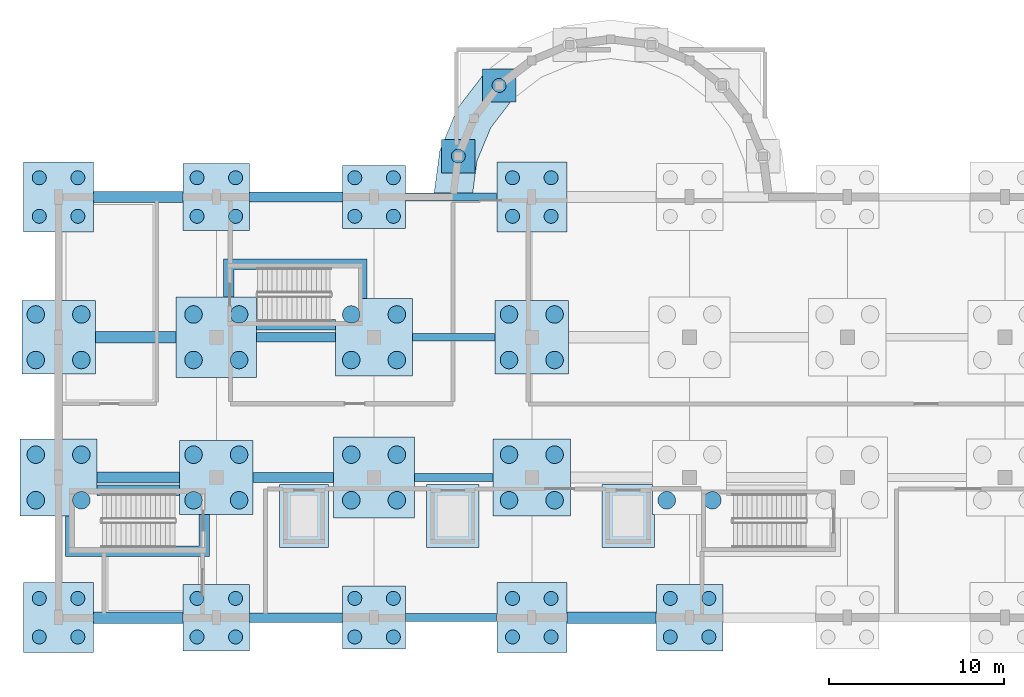
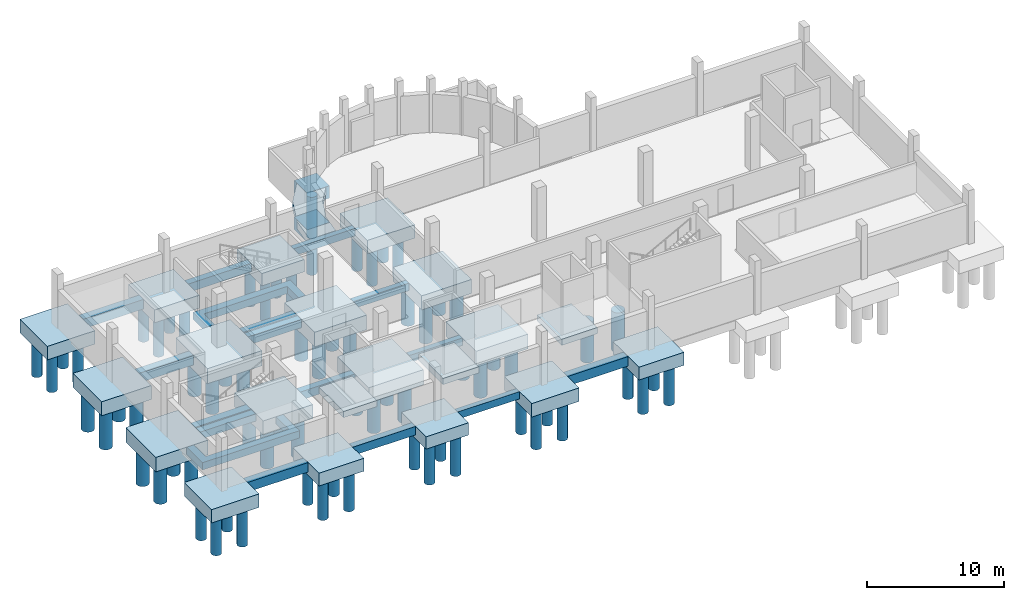
# One storey, part 1 of 10: 72 piles, 40 footings.
"""IFC4 building model written with IfcOpenShell, lengths in metres."""

from ifc_helpers import new_model, si_unit, direction, frame, origin, origin_2d, place, context, subcontext, project, spatial, polyline, rectangle, circle, outline, extrude, material, material_profile, profile_set, type_object, element, save


model = new_model("IFC4")

# Units and contexts
model_context = context("Model", 3, precision=1e-05, world=origin(), true_north=direction((0.0, 1.0)))
body_context = subcontext(model_context, "Body", "Model", "MODEL_VIEW")
ifc_project = project(units=[si_unit("LENGTHUNIT", "METRE"), si_unit("AREAUNIT", "SQUARE_METRE"), si_unit("VOLUMEUNIT", "CUBIC_METRE"), si_unit("PLANEANGLEUNIT", "RADIAN"), si_unit("MASSUNIT", "GRAM", prefix="KILO")], contexts=[model_context])

# Site, building, storey
site_placement = place(None, origin())
site = spatial("IfcSite", under=ifc_project, at=site_placement, CompositionType="ELEMENT")
building_placement = place(site_placement, origin())
building = spatial("IfcBuilding", under=site, at=building_placement, Name="Serraforn Aerial Cableway Station", CompositionType="ELEMENT")
storey_placement = place(building_placement, frame((0.0, 0.0, -4.800048828125)))
storey = spatial("IfcBuildingStorey", under=building, at=storey_placement, Name="B1", CompositionType="ELEMENT", Elevation=-4.800048828125)

# Footings
ifc_material_1 = material(Name="Concrete C35/45", Category="concrete")
footing_type_1 = type_object("IfcFootingType", Name="FT-FB-450x650", PredefinedType="FOOTING_BEAM", material=ifc_material_1)
footing_1_placement = place(storey_placement, frame((0.0, 0.0, -0.64990234375)))
element("IfcFooting", 1, at=footing_1_placement, inside=storey, type_object=footing_type_1, Name="Footing Tie Beam CV Y=18.0 #3", PredefinedType="FOOTING_BEAM", context=body_context, shape_type="SweptSolid", body=[
    extrude(outline(polyline([(52.594970703125, 18.22509765625), (52.594970703125, 17.77490234375), (47.405029296875, 17.77490234375), (47.405029296875, 18.22509765625), (52.594970703125, 18.22509765625)])), origin(), (0.0, 0.0, 1.0), 0.64990234375),
])
footing_2_placement = place(storey_placement, frame((0.0, 0.0, -0.64990234375)))
element("IfcFooting", 2, at=footing_2_placement, inside=storey, type_object=footing_type_1, Name="Footing Tie Beam CV Y=26.0 #3", PredefinedType="FOOTING_BEAM", context=body_context, shape_type="SweptSolid", body=[
    extrude(outline(polyline([(52.39501953125, 26.22509765625), (52.39501953125, 25.77490234375), (47.905029296875, 25.77490234375), (47.905029296875, 26.22509765625), (52.39501953125, 26.22509765625)])), origin(), (0.0, 0.0, 1.0), 0.64990234375),
])
footing_3_placement = place(storey_placement, frame((0.0, 0.0, -0.64990234375)))
element("IfcFooting", 3, at=footing_3_placement, inside=storey, type_object=footing_type_1, Name="Footing Tie Beam CV Y=34.0 #3", PredefinedType="FOOTING_BEAM", context=body_context, shape_type="SweptSolid", body=[
    extrude(outline(polyline([(52.4951171875, 34.22509765625), (52.4951171875, 33.77490234375), (47.804931640625, 33.77490234375), (47.804931640625, 34.22509765625), (52.4951171875, 34.22509765625)])), origin(), (0.0, 0.0, 1.0), 0.64990234375),
])
footing_4_placement = place(storey_placement, frame((0.0, 0.0, -0.64990234375)))
element("IfcFooting", 4, at=footing_4_placement, inside=storey, type_object=footing_type_1, Name="Footing Tie Beam CV Y=42.0 #3", PredefinedType="FOOTING_BEAM", context=body_context, shape_type="SweptSolid", body=[
    extrude(outline(polyline([(52.594970703125, 42.22509765625), (52.594970703125, 41.77490234375), (47.405029296875, 41.77490234375), (47.405029296875, 42.22509765625), (52.594970703125, 42.22509765625)])), origin(), (0.0, 0.0, 1.0), 0.64990234375),
])
footing_type_2 = type_object("IfcFootingType", Name="FT-FB-550x750", PredefinedType="FOOTING_BEAM", material=ifc_material_1)
footing_5_placement = place(storey_placement, frame((0.0, 0.0, -0.75)))
element("IfcFooting", 5, at=footing_5_placement, inside=storey, type_object=footing_type_2, Name="Footing Tie Beam CV Y=18.0 #2", PredefinedType="FOOTING_BEAM", context=body_context, shape_type="SweptSolid", body=[
    extrude(outline(polyline([(43.794921875, 18.27490234375), (43.794921875, 17.72509765625), (38.5048828125, 17.72509765625), (38.5048828125, 18.27490234375), (43.794921875, 18.27490234375)])), origin(), (0.0, 0.0, 1.0), 0.75),
])
footing_6_placement = place(storey_placement, frame((0.0, 0.0, -0.75)))
element("IfcFooting", 6, at=footing_6_placement, inside=storey, type_object=footing_type_2, Name="Footing Tie Beam CV Y=26.0 #2", PredefinedType="FOOTING_BEAM", context=body_context, shape_type="SweptSolid", body=[
    extrude(outline(polyline([(43.294921875, 26.27490234375), (43.294921875, 25.72509765625), (38.705078125, 25.72509765625), (38.705078125, 26.27490234375), (43.294921875, 26.27490234375)])), origin(), (0.0, 0.0, 1.0), 0.75),
])
footing_7_placement = place(storey_placement, frame((0.0, 0.0, -0.75)))
element("IfcFooting", 7, at=footing_7_placement, inside=storey, type_object=footing_type_2, Name="Footing Tie Beam CV Y=34.0 #2", PredefinedType="FOOTING_BEAM", context=body_context, shape_type="SweptSolid", body=[
    extrude(outline(polyline([(43.39501953125, 34.27490234375), (43.39501953125, 33.72509765625), (38.905029296875, 33.72509765625), (38.905029296875, 34.27490234375), (43.39501953125, 34.27490234375)])), origin(), (0.0, 0.0, 1.0), 0.75),
])
footing_8_placement = place(storey_placement, frame((0.0, 0.0, -0.75)))
element("IfcFooting", 8, at=footing_8_placement, inside=storey, type_object=footing_type_2, Name="Footing Tie Beam CV Y=42.0 #2", PredefinedType="FOOTING_BEAM", context=body_context, shape_type="SweptSolid", body=[
    extrude(outline(polyline([(43.794921875, 42.27490234375), (43.794921875, 41.72509765625), (38.5048828125, 41.72509765625), (38.5048828125, 42.27490234375), (43.794921875, 42.27490234375)])), origin(), (0.0, 0.0, 1.0), 0.75),
])
footing_type_3 = type_object("IfcFootingType", Name="FT-FB-650x850", PredefinedType="FOOTING_BEAM", material=ifc_material_1)
footing_9_placement = place(storey_placement, frame((0.0, 0.0, -0.849853515625)))
element("IfcFooting", 9, at=footing_9_placement, inside=storey, type_object=footing_type_3, Name="Footing Tie Beam CV Y=18.0 #1", PredefinedType="FOOTING_BEAM", context=body_context, shape_type="SweptSolid", body=[
    extrude(outline(polyline([(34.695068359375, 18.324951171875), (34.695068359375, 17.675048828125), (29.60498046875, 17.675048828125), (29.60498046875, 18.324951171875), (34.695068359375, 18.324951171875)])), origin(), (0.0, 0.0, 1.0), 0.849853515625),
])
footing_10_placement = place(storey_placement, frame((0.0, 0.0, -0.849853515625)))
element("IfcFooting", 10, at=footing_10_placement, inside=storey, type_object=footing_type_3, Name="Footing Tie Beam CV Y=18.0 #4", PredefinedType="FOOTING_BEAM", context=body_context, shape_type="SweptSolid", body=[
    extrude(outline(polyline([(61.695068359375, 18.324951171875), (61.695068359375, 17.675048828125), (56.60498046875, 17.675048828125), (56.60498046875, 18.324951171875), (61.695068359375, 18.324951171875)])), origin(), (0.0, 0.0, 1.0), 0.849853515625),
])
footing_11_placement = place(storey_placement, frame((0.0, 0.0, -0.849853515625)))
element("IfcFooting", 11, at=footing_11_placement, inside=storey, type_object=footing_type_3, Name="Footing Tie Beam CV Y=26.0 #1", PredefinedType="FOOTING_BEAM", context=body_context, shape_type="SweptSolid", body=[
    extrude(outline(polyline([(34.4951171875, 26.324951171875), (34.4951171875, 25.675048828125), (29.804931640625, 25.675048828125), (29.804931640625, 26.324951171875), (34.4951171875, 26.324951171875)])), origin(), (0.0, 0.0, 1.0), 0.849853515625),
])
footing_12_placement = place(storey_placement, frame((0.0, 0.0, -0.849853515625)))
element("IfcFooting", 12, at=footing_12_placement, inside=storey, type_object=footing_type_3, Name="Footing Tie Beam CV Y=34.0 #1", PredefinedType="FOOTING_BEAM", context=body_context, shape_type="SweptSolid", body=[
    extrude(outline(polyline([(34.294921875, 34.324951171875), (34.294921875, 33.675048828125), (29.705078125, 33.675048828125), (29.705078125, 34.324951171875), (34.294921875, 34.324951171875)])), origin(), (0.0, 0.0, 1.0), 0.849853515625),
])
footing_13_placement = place(storey_placement, frame((0.0, 0.0, -0.849853515625)))
element("IfcFooting", 13, at=footing_13_placement, inside=storey, type_object=footing_type_3, Name="Footing Tie Beam CV Y=42.0 #1", PredefinedType="FOOTING_BEAM", context=body_context, shape_type="SweptSolid", body=[
    extrude(outline(polyline([(34.695068359375, 42.324951171875), (34.695068359375, 41.675048828125), (29.60498046875, 41.675048828125), (29.60498046875, 42.324951171875), (34.695068359375, 42.324951171875)])), origin(), (0.0, 0.0, 1.0), 0.849853515625),
])
footing_type_4 = type_object("IfcFootingType", Name="FT-PC1-190", PredefinedType="PILE_CAP", material=ifc_material_1)
for number, where, z_axis, x_axis, name in (
    (14, (50.40673828125, 44.329345703125, -1.10009765625), (0.0, 0.0, 1.0), (1.0, 0.0, 0.0), "Apse Radial Pile Cap 1"),
    (15, (52.736083984375, 48.364013671875, -1.10009765625), (0.0, 0.0, 1.0), (1.0, 0.0, 0.0), "Apse Radial Pile Cap 3"),
):
    element("IfcFooting", number, at=place(storey_placement, frame(where, z_axis=z_axis, x_axis=x_axis)), inside=storey, type_object=footing_type_4, Name=name, PredefinedType="PILE_CAP", context=body_context, shape_type="SweptSolid", body=[
        extrude(rectangle(XDim=1.89990234375, YDim=1.89990234375, at=origin_2d()), origin(), (0.0, 0.0, 1.0), 1.10009765625),
    ])
footing_type_5 = type_object("IfcFootingType", Name="FT-PC4-360", PredefinedType="PILE_CAP", material=ifc_material_1)
for number, where, z_axis, x_axis, name in (
    (16, (45.60009765625, 18.0, -1.10009765625), (0.0, 0.0, 1.0), (1.0, 0.0, 0.0), "Pile Cap CV-7-C"),
    (17, (45.60009765625, 42.0, -1.10009765625), (0.0, 0.0, 1.0), (1.0, 0.0, 0.0), "Pile Cap CV-7-F"),
):
    element("IfcFooting", number, at=place(storey_placement, frame(where, z_axis=z_axis, x_axis=x_axis)), inside=storey, type_object=footing_type_5, Name=name, PredefinedType="PILE_CAP", context=body_context, shape_type="SweptSolid", body=[
        extrude(rectangle(XDim=3.60009765625, YDim=3.60009765625, at=origin_2d()), origin(), (0.0, 0.0, 1.0), 1.10009765625),
    ])
footing_type_6 = type_object("IfcFootingType", Name="FT-PC4-380", PredefinedType="PILE_CAP", material=ifc_material_1)
for number, where, z_axis, x_axis, name in (
    (18, (36.60009765625, 18.0, -1.14990234375), (0.0, 0.0, 1.0), (1.0, 0.0, 0.0), "Pile Cap CV-6-C"),
    (19, (36.60009765625, 42.0, -1.14990234375), (0.0, 0.0, 1.0), (1.0, 0.0, 0.0), "Pile Cap CV-6-F"),
    (20, (63.60009765625, 18.0, -1.14990234375), (0.0, 0.0, 1.0), (1.0, 0.0, 0.0), "Pile Cap CV-9-C"),
):
    element("IfcFooting", number, at=place(storey_placement, frame(where, z_axis=z_axis, x_axis=x_axis)), inside=storey, type_object=footing_type_6, Name=name, PredefinedType="PILE_CAP", context=body_context, shape_type="SweptSolid", body=[
        extrude(rectangle(XDim=3.800048828125, YDim=3.800048828125, at=origin_2d()), origin(), (0.0, 0.0, 1.0), 1.14990234375),
    ])
footing_type_7 = type_object("IfcFootingType", Name="FT-PC4-400", PredefinedType="PILE_CAP", material=ifc_material_1)
for number, where, z_axis, x_axis, name in (
    (21, (27.60009765625, 18.0, -1.19970703125), (0.0, 0.0, 1.0), (1.0, 0.0, 0.0), "Pile Cap CV-5-C"),
    (22, (27.60009765625, 42.0, -1.19970703125), (0.0, 0.0, 1.0), (1.0, 0.0, 0.0), "Pile Cap CV-5-F"),
    (23, (54.60009765625, 18.0, -1.19970703125), (0.0, 0.0, 1.0), (1.0, 0.0, 0.0), "Pile Cap CV-8-C"),
    (24, (54.60009765625, 42.0, -1.19970703125), (0.0, 0.0, 1.0), (1.0, 0.0, 0.0), "Pile Cap CV-8-F"),
):
    element("IfcFooting", number, at=place(storey_placement, frame(where, z_axis=z_axis, x_axis=x_axis)), inside=storey, type_object=footing_type_7, Name=name, PredefinedType="PILE_CAP", context=body_context, shape_type="SweptSolid", body=[
        extrude(rectangle(XDim=4.0, YDim=4.0, at=origin_2d()), origin(), (0.0, 0.0, 1.0), 1.199951171875),
    ])
ifc_material_2 = material(Name="Concrete C40/50", Category="concrete")
footing_type_8 = type_object("IfcFootingType", Name="FT-PC4-420", PredefinedType="PILE_CAP", material=ifc_material_2)
for number, where, z_axis, x_axis, name in (
    (25, (27.60009765625, 34.0, -1.25), (0.0, 0.0, 1.0), (1.0, 0.0, 0.0), "Pile Cap CV-5-D2"),
    (26, (36.60009765625, 26.0, -1.25), (0.0, 0.0, 1.0), (1.0, 0.0, 0.0), "Pile Cap CV-6-D1"),
    (27, (54.60009765625, 34.0, -1.25), (0.0, 0.0, 1.0), (1.0, 0.0, 0.0), "Pile Cap CV-8-D2"),
):
    element("IfcFooting", number, at=place(storey_placement, frame(where, z_axis=z_axis, x_axis=x_axis)), inside=storey, type_object=footing_type_8, Name=name, PredefinedType="PILE_CAP", context=body_context, shape_type="SweptSolid", body=[
        extrude(rectangle(XDim=4.199951171875, YDim=4.199951171875, at=origin_2d()), origin(), (0.0, 0.0, 1.0), 1.25),
    ])
footing_type_9 = type_object("IfcFootingType", Name="FT-PC4-440", PredefinedType="PILE_CAP", material=ifc_material_2)
for number, where, z_axis, x_axis, name in (
    (28, (27.60009765625, 26.0, -1.2998046875), (0.0, 0.0, 1.0), (1.0, 0.0, 0.0), "Pile Cap CV-5-D1"),
    (29, (45.60009765625, 34.0, -1.2998046875), (0.0, 0.0, 1.0), (1.0, 0.0, 0.0), "Pile Cap CV-7-D2"),
    (30, (54.60009765625, 26.0, -1.2998046875), (0.0, 0.0, 1.0), (1.0, 0.0, 0.0), "Pile Cap CV-8-D1"),
):
    element("IfcFooting", number, at=place(storey_placement, frame(where, z_axis=z_axis, x_axis=x_axis)), inside=storey, type_object=footing_type_9, Name=name, PredefinedType="PILE_CAP", context=body_context, shape_type="SweptSolid", body=[
        extrude(rectangle(XDim=4.39990234375, YDim=4.39990234375, at=origin_2d()), origin(), (0.0, 0.0, 1.0), 1.300048828125),
    ])
footing_type_10 = type_object("IfcFootingType", Name="FT-PC4-460", PredefinedType="PILE_CAP", material=ifc_material_2)
for number, where, z_axis, x_axis, name in (
    (31, (36.60009765625, 34.0, -1.35009765625), (0.0, 0.0, 1.0), (1.0, 0.0, 0.0), "Pile Cap CV-6-D2"),
    (32, (45.60009765625, 26.0, -1.35009765625), (0.0, 0.0, 1.0), (1.0, 0.0, 0.0), "Pile Cap CV-7-D1"),
):
    element("IfcFooting", number, at=place(storey_placement, frame(where, z_axis=z_axis, x_axis=x_axis)), inside=storey, type_object=footing_type_10, Name=name, PredefinedType="PILE_CAP", context=body_context, shape_type="SweptSolid", body=[
        extrude(rectangle(XDim=4.60009765625, YDim=4.60009765625, at=origin_2d()), origin(), (0.0, 0.0, 1.0), 1.35009765625),
    ])
footing_type_11 = type_object("IfcFootingType", Name="FT-SF-750x550", PredefinedType="STRIP_FOOTING", material=ifc_material_1)
footing_14_placement = place(storey_placement, frame((0.0, 0.0, -0.550048828125)))
element("IfcFooting", 33, at=footing_14_placement, inside=storey, type_object=footing_type_11, Name="Lift Pit Foundation Mat LF-02", PredefinedType="STRIP_FOOTING", context=body_context, shape_type="SweptSolid", body=[
    extrude(outline(polyline([(40.199951171875, 22.0), (40.199951171875, 25.60009765625), (43.0, 25.60009765625), (43.0, 22.0), (40.199951171875, 22.0)])), origin(), (0.0, 0.0, 1.0), 0.550048828125),
])
footing_15_placement = place(storey_placement, frame((0.0, 0.0, -0.550048828125)))
element("IfcFooting", 34, at=footing_15_placement, inside=storey, type_object=footing_type_11, Name="Lift Pit Foundation Mat LF-03", PredefinedType="STRIP_FOOTING", context=body_context, shape_type="SweptSolid", body=[
    extrude(outline(polyline([(48.60009765625, 22.0), (48.60009765625, 25.60009765625), (51.60009765625, 25.60009765625), (51.60009765625, 22.0), (48.60009765625, 22.0)])), origin(), (0.0, 0.0, 1.0), 0.550048828125),
])
footing_16_placement = place(storey_placement, frame((0.0, 0.0, -0.550048828125)))
element("IfcFooting", 35, at=footing_16_placement, inside=storey, type_object=footing_type_11, Name="Lift Pit Foundation Mat LF-04", PredefinedType="STRIP_FOOTING", context=body_context, shape_type="SweptSolid", body=[
    extrude(outline(polyline([(61.60009765625, 22.0), (58.60009765625, 22.0), (58.60009765625, 25.60009765625), (61.4951171875, 25.60009765625), (61.4951171875, 23.89501953125), (61.60009765625, 23.89501953125), (61.60009765625, 22.0)])), origin(), (0.0, 0.0, 1.0), 0.550048828125),
])
footing_type_12 = type_object("IfcFootingType", Name="FT-SF-900x650", PredefinedType="STRIP_FOOTING", material=ifc_material_1)
footing_17_placement = place(storey_placement, frame((0.0, 0.0, -0.64990234375)))
element("IfcFooting", 36, at=footing_17_placement, inside=storey, type_object=footing_type_12, Name="Apse Semicircular Ring Footing", PredefinedType="STRIP_FOOTING", context=body_context, shape_type="SweptSolid", body=[
    extrude(outline(polyline([(49.343994140625, 44.614013671875), (49.45166015625, 44.873779296875), (49.45166015625, 43.37451171875), (51.36181640625, 43.37451171875), (51.36181640625, 45.284423828125), (49.621826171875, 45.284423828125), (50.35302734375, 47.050048828125), (51.781005859375, 48.910888671875), (51.781005859375, 47.408935546875), (53.3779296875, 47.408935546875), (52.25830078125, 45.949951171875), (51.46923828125, 44.044677734375), (51.230224609375, 42.22998046875), (49.0302734375, 42.22998046875), (49.343994140625, 44.614013671875)])), origin(), (0.0, 0.0, 1.0), 0.64990234375),
])
footing_18_placement = place(storey_placement, frame((0.0, 0.0, -0.64990234375)))
element("IfcFooting", 37, at=footing_18_placement, inside=storey, type_object=footing_type_12, Name="Stair Core Strip Footing ST-03", PredefinedType="STRIP_FOOTING", context=body_context, shape_type="SweptSolid", body=[
    extrude(outline(polyline([(36.199951171875, 21.5), (28.0, 21.5), (28.0, 23.794921875), (28.60009765625, 23.794921875), (28.60009765625, 22.10009765625), (35.60009765625, 22.10009765625), (35.60009765625, 23.89501953125), (36.199951171875, 23.89501953125), (36.199951171875, 21.5)])), origin(), (0.0, 0.0, 1.0), 0.64990234375),
])
footing_19_placement = place(storey_placement, frame((0.0, 0.0, -0.64990234375)))
element("IfcFooting", 38, at=footing_19_placement, inside=storey, type_object=footing_type_12, Name="Stair Core Strip Footing ST-03 Seg 2", PredefinedType="STRIP_FOOTING", context=body_context, shape_type="SweptSolid", body=[
    extrude(outline(polyline([(34.4951171875, 25.56005859375), (34.4951171875, 24.9599609375), (29.804931640625, 24.9599609375), (29.804931640625, 25.56005859375), (34.4951171875, 25.56005859375)])), origin(), (0.0, 0.0, 1.0), 0.64990234375),
])
footing_20_placement = place(storey_placement, frame((0.0, 0.0, -0.64990234375)))
element("IfcFooting", 39, at=footing_20_placement, inside=storey, type_object=footing_type_12, Name="Stair Core Strip Footing ST-04", PredefinedType="STRIP_FOOTING", context=body_context, shape_type="SweptSolid", body=[
    extrude(outline(polyline([(37.0, 38.4599609375), (45.199951171875, 38.4599609375), (45.199951171875, 36.205078125), (44.60009765625, 36.205078125), (44.60009765625, 37.860107421875), (37.60009765625, 37.860107421875), (37.60009765625, 36.304931640625), (37.0, 36.304931640625), (37.0, 38.4599609375)])), origin(), (0.0, 0.0, 1.0), 0.64990234375),
])
footing_21_placement = place(storey_placement, frame((0.0, 0.0, -0.64990234375)))
element("IfcFooting", 40, at=footing_21_placement, inside=storey, type_object=footing_type_12, Name="Stair Core Strip Footing ST-04 Seg 2", PredefinedType="STRIP_FOOTING", context=body_context, shape_type="SweptSolid", body=[
    extrude(outline(polyline([(38.905029296875, 34.39990234375), (38.905029296875, 35.0), (43.39501953125, 35.0), (43.39501953125, 34.39990234375), (38.905029296875, 34.39990234375)])), origin(), (0.0, 0.0, 1.0), 0.64990234375),
])

# Piles
ifc_material_profile_1 = material_profile(ifc_material_1, circle(Radius=0.5, at=origin_2d()), Name="BORED PILE D1000")
ifc_profile_set_1 = profile_set([ifc_material_profile_1], Name="Concrete C35/45")
pile_type_1 = type_object("IfcPileType", Name="PL-BORED-1000", PredefinedType="BORED", material=ifc_profile_set_1)
for number, where, z_axis, x_axis, name in (
    (41, (26.300048828125, 24.699951171875, -1.199951171875), (0.0, 0.0, -1.0), (1.0, 0.0, 0.0), "Bored Pile CV-5-D1-1"),
    (42, (28.89990234375, 24.699951171875, -1.199951171875), (0.0, 0.0, -1.0), (1.0, 0.0, 0.0), "Bored Pile CV-5-D1-2"),
    (43, (26.300048828125, 27.300048828125, -1.199951171875), (0.0, 0.0, -1.0), (1.0, 0.0, 0.0), "Bored Pile CV-5-D1-3"),
    (44, (28.89990234375, 27.300048828125, -1.199951171875), (0.0, 0.0, -1.0), (1.0, 0.0, 0.0), "Bored Pile CV-5-D1-4"),
):
    element("IfcPile", number, at=place(storey_placement, frame(where, z_axis=z_axis, x_axis=x_axis)), inside=storey, type_object=pile_type_1, Name=name, PredefinedType="BORED", context=body_context, shape_type="SweptSolid", body=[
        extrude(circle(Radius=0.5, at=origin_2d()), origin(), (0.0, 0.0, 1.0), 3.5),
    ])
for number, where, z_axis, x_axis, name in (
    (45, (26.300048828125, 32.699951171875, -1.14990234375), (0.0, 0.0, -1.0), (1.0, 0.0, 0.0), "Bored Pile CV-5-D2-1"),
    (46, (28.89990234375, 32.699951171875, -1.14990234375), (0.0, 0.0, -1.0), (1.0, 0.0, 0.0), "Bored Pile CV-5-D2-2"),
    (47, (26.300048828125, 35.300048828125, -1.14990234375), (0.0, 0.0, -1.0), (1.0, 0.0, 0.0), "Bored Pile CV-5-D2-3"),
    (48, (28.89990234375, 35.300048828125, -1.14990234375), (0.0, 0.0, -1.0), (1.0, 0.0, 0.0), "Bored Pile CV-5-D2-4"),
    (49, (35.300048828125, 24.699951171875, -1.14990234375), (0.0, 0.0, -1.0), (1.0, 0.0, 0.0), "Bored Pile CV-6-D1-1"),
    (50, (37.89990234375, 24.699951171875, -1.14990234375), (0.0, 0.0, -1.0), (1.0, 0.0, 0.0), "Bored Pile CV-6-D1-2"),
    (51, (35.300048828125, 27.300048828125, -1.14990234375), (0.0, 0.0, -1.0), (1.0, 0.0, 0.0), "Bored Pile CV-6-D1-3"),
    (52, (37.89990234375, 27.300048828125, -1.14990234375), (0.0, 0.0, -1.0), (1.0, 0.0, 0.0), "Bored Pile CV-6-D1-4"),
):
    element("IfcPile", number, at=place(storey_placement, frame(where, z_axis=z_axis, x_axis=x_axis)), inside=storey, type_object=pile_type_1, Name=name, PredefinedType="BORED", context=body_context, shape_type="SweptSolid", body=[
        extrude(circle(Radius=0.5, at=origin_2d()), origin(), (0.0, 0.0, 1.0), 3.550048828125),
    ])
for number, where, z_axis, x_axis, name in (
    (53, (35.300048828125, 32.699951171875, -1.25), (0.0, 0.0, -1.0), (1.0, 0.0, 0.0), "Bored Pile CV-6-D2-1"),
    (54, (37.89990234375, 32.699951171875, -1.25), (0.0, 0.0, -1.0), (1.0, 0.0, 0.0), "Bored Pile CV-6-D2-2"),
    (55, (35.300048828125, 35.300048828125, -1.25), (0.0, 0.0, -1.0), (1.0, 0.0, 0.0), "Bored Pile CV-6-D2-3"),
    (56, (37.89990234375, 35.300048828125, -1.25), (0.0, 0.0, -1.0), (1.0, 0.0, 0.0), "Bored Pile CV-6-D2-4"),
    (57, (44.300048828125, 24.699951171875, -1.25), (0.0, 0.0, -1.0), (1.0, 0.0, 0.0), "Bored Pile CV-7-D1-1"),
    (58, (46.89990234375, 24.699951171875, -1.25), (0.0, 0.0, -1.0), (1.0, 0.0, 0.0), "Bored Pile CV-7-D1-2"),
    (59, (44.300048828125, 27.300048828125, -1.25), (0.0, 0.0, -1.0), (1.0, 0.0, 0.0), "Bored Pile CV-7-D1-3"),
    (60, (46.89990234375, 27.300048828125, -1.25), (0.0, 0.0, -1.0), (1.0, 0.0, 0.0), "Bored Pile CV-7-D1-4"),
):
    element("IfcPile", number, at=place(storey_placement, frame(where, z_axis=z_axis, x_axis=x_axis)), inside=storey, type_object=pile_type_1, Name=name, PredefinedType="BORED", context=body_context, shape_type="SweptSolid", body=[
        extrude(circle(Radius=0.5, at=origin_2d()), origin(), (0.0, 0.0, 1.0), 3.449951171875),
    ])
for number, where, z_axis, x_axis, name in (
    (61, (44.300048828125, 32.699951171875, -1.199951171875), (0.0, 0.0, -1.0), (1.0, 0.0, 0.0), "Bored Pile CV-7-D2-1"),
    (62, (46.89990234375, 32.699951171875, -1.199951171875), (0.0, 0.0, -1.0), (1.0, 0.0, 0.0), "Bored Pile CV-7-D2-2"),
    (63, (44.300048828125, 35.300048828125, -1.199951171875), (0.0, 0.0, -1.0), (1.0, 0.0, 0.0), "Bored Pile CV-7-D2-3"),
    (64, (46.89990234375, 35.300048828125, -1.199951171875), (0.0, 0.0, -1.0), (1.0, 0.0, 0.0), "Bored Pile CV-7-D2-4"),
    (65, (53.300048828125, 24.699951171875, -1.199951171875), (0.0, 0.0, -1.0), (1.0, 0.0, 0.0), "Bored Pile CV-8-D1-1"),
    (66, (55.89990234375, 24.699951171875, -1.199951171875), (0.0, 0.0, -1.0), (1.0, 0.0, 0.0), "Bored Pile CV-8-D1-2"),
    (67, (53.300048828125, 27.300048828125, -1.199951171875), (0.0, 0.0, -1.0), (1.0, 0.0, 0.0), "Bored Pile CV-8-D1-3"),
    (68, (55.89990234375, 27.300048828125, -1.199951171875), (0.0, 0.0, -1.0), (1.0, 0.0, 0.0), "Bored Pile CV-8-D1-4"),
):
    element("IfcPile", number, at=place(storey_placement, frame(where, z_axis=z_axis, x_axis=x_axis)), inside=storey, type_object=pile_type_1, Name=name, PredefinedType="BORED", context=body_context, shape_type="SweptSolid", body=[
        extrude(circle(Radius=0.5, at=origin_2d()), origin(), (0.0, 0.0, 1.0), 3.5),
    ])
for number, where, z_axis, x_axis, name in (
    (69, (53.300048828125, 32.699951171875, -1.14990234375), (0.0, 0.0, -1.0), (1.0, 0.0, 0.0), "Bored Pile CV-8-D2-1"),
    (70, (55.89990234375, 32.699951171875, -1.14990234375), (0.0, 0.0, -1.0), (1.0, 0.0, 0.0), "Bored Pile CV-8-D2-2"),
    (71, (53.300048828125, 35.300048828125, -1.14990234375), (0.0, 0.0, -1.0), (1.0, 0.0, 0.0), "Bored Pile CV-8-D2-3"),
    (72, (55.89990234375, 35.300048828125, -1.14990234375), (0.0, 0.0, -1.0), (1.0, 0.0, 0.0), "Bored Pile CV-8-D2-4"),
    (73, (62.300048828125, 24.699951171875, -1.14990234375), (0.0, 0.0, -1.0), (1.0, 0.0, 0.0), "Bored Pile CV-9-D1-1"),
    (74, (64.89990234375, 24.699951171875, -1.14990234375), (0.0, 0.0, -1.0), (1.0, 0.0, 0.0), "Bored Pile CV-9-D1-2"),
):
    element("IfcPile", number, at=place(storey_placement, frame(where, z_axis=z_axis, x_axis=x_axis)), inside=storey, type_object=pile_type_1, Name=name, PredefinedType="BORED", context=body_context, shape_type="SweptSolid", body=[
        extrude(circle(Radius=0.5, at=origin_2d()), origin(), (0.0, 0.0, 1.0), 3.550048828125),
    ])
ifc_material_profile_2 = material_profile(ifc_material_1, circle(Radius=0.39990234375, at=origin_2d()), Name="BORED PILE D800")
ifc_profile_set_2 = profile_set([ifc_material_profile_2], Name="Concrete C35/45")
pile_type_2 = type_object("IfcPileType", Name="PL-BORED-800A", PredefinedType="BORED", material=ifc_profile_set_2)
for number, where, z_axis, x_axis, name in (
    (75, (26.5, 40.89990234375, -1.099853515625), (0.0, 0.0, -1.0), (1.0, 0.0, 0.0), "Bored Pile CV-5-F-1"),
    (76, (28.699951171875, 40.89990234375, -1.099853515625), (0.0, 0.0, -1.0), (1.0, 0.0, 0.0), "Bored Pile CV-5-F-2"),
    (77, (26.5, 43.10009765625, -1.099853515625), (0.0, 0.0, -1.0), (1.0, 0.0, 0.0), "Bored Pile CV-5-F-3"),
    (78, (28.699951171875, 43.10009765625, -1.099853515625), (0.0, 0.0, -1.0), (1.0, 0.0, 0.0), "Bored Pile CV-5-F-4"),
    (79, (53.5, 16.89990234375, -1.099853515625), (0.0, 0.0, -1.0), (1.0, 0.0, 0.0), "Bored Pile CV-8-C-1"),
    (80, (55.699951171875, 16.89990234375, -1.099853515625), (0.0, 0.0, -1.0), (1.0, 0.0, 0.0), "Bored Pile CV-8-C-2"),
    (81, (53.5, 19.10009765625, -1.099853515625), (0.0, 0.0, -1.0), (1.0, 0.0, 0.0), "Bored Pile CV-8-C-3"),
    (82, (55.699951171875, 19.10009765625, -1.099853515625), (0.0, 0.0, -1.0), (1.0, 0.0, 0.0), "Bored Pile CV-8-C-4"),
):
    element("IfcPile", number, at=place(storey_placement, frame(where, z_axis=z_axis, x_axis=x_axis)), inside=storey, type_object=pile_type_2, Name=name, PredefinedType="BORED", context=body_context, shape_type="SweptSolid", body=[
        extrude(circle(Radius=0.39990234375, at=origin_2d()), origin(), (0.0, 0.0, 1.0), 3.60009765625),
    ])
ifc_material_profile_3 = material_profile(ifc_material_1, circle(Radius=0.39990234375, at=origin_2d()), Name="BORED PILE D800")
ifc_profile_set_3 = profile_set([ifc_material_profile_3], Name="Concrete C35/45")
pile_type_3 = type_object("IfcPileType", Name="PL-BORED-800B", PredefinedType="BORED", material=ifc_profile_set_3)
for number, where, z_axis, x_axis, name in (
    (83, (26.5, 16.89990234375, -1.099853515625), (0.0, 0.0, -1.0), (1.0, 0.0, 0.0), "Bored Pile CV-5-C-1"),
    (84, (28.699951171875, 16.89990234375, -1.099853515625), (0.0, 0.0, -1.0), (1.0, 0.0, 0.0), "Bored Pile CV-5-C-2"),
    (85, (26.5, 19.10009765625, -1.099853515625), (0.0, 0.0, -1.0), (1.0, 0.0, 0.0), "Bored Pile CV-5-C-3"),
    (86, (28.699951171875, 19.10009765625, -1.099853515625), (0.0, 0.0, -1.0), (1.0, 0.0, 0.0), "Bored Pile CV-5-C-4"),
):
    element("IfcPile", number, at=place(storey_placement, frame(where, z_axis=z_axis, x_axis=x_axis)), inside=storey, type_object=pile_type_3, Name=name, PredefinedType="BORED", context=body_context, shape_type="SweptSolid", body=[
        extrude(circle(Radius=0.39990234375, at=origin_2d()), origin(), (0.0, 0.0, 1.0), 3.60009765625),
    ])
for number, where, z_axis, x_axis, name in (
    (87, (35.5, 40.89990234375, -1.050048828125), (0.0, 0.0, -1.0), (1.0, 0.0, 0.0), "Bored Pile CV-6-F-1"),
    (88, (37.699951171875, 40.89990234375, -1.050048828125), (0.0, 0.0, -1.0), (1.0, 0.0, 0.0), "Bored Pile CV-6-F-2"),
    (89, (35.5, 43.10009765625, -1.050048828125), (0.0, 0.0, -1.0), (1.0, 0.0, 0.0), "Bored Pile CV-6-F-3"),
    (90, (37.699951171875, 43.10009765625, -1.050048828125), (0.0, 0.0, -1.0), (1.0, 0.0, 0.0), "Bored Pile CV-6-F-4"),
    (91, (62.5, 16.89990234375, -1.050048828125), (0.0, 0.0, -1.0), (1.0, 0.0, 0.0), "Bored Pile CV-9-C-1"),
    (92, (64.699951171875, 16.89990234375, -1.050048828125), (0.0, 0.0, -1.0), (1.0, 0.0, 0.0), "Bored Pile CV-9-C-2"),
    (93, (62.5, 19.10009765625, -1.050048828125), (0.0, 0.0, -1.0), (1.0, 0.0, 0.0), "Bored Pile CV-9-C-3"),
    (94, (64.699951171875, 19.10009765625, -1.050048828125), (0.0, 0.0, -1.0), (1.0, 0.0, 0.0), "Bored Pile CV-9-C-4"),
):
    element("IfcPile", number, at=place(storey_placement, frame(where, z_axis=z_axis, x_axis=x_axis)), inside=storey, type_object=pile_type_3, Name=name, PredefinedType="BORED", context=body_context, shape_type="SweptSolid", body=[
        extrude(circle(Radius=0.39990234375, at=origin_2d()), origin(), (0.0, 0.0, 1.0), 3.64990234375),
    ])
pile_1_placement = place(storey_placement, frame((50.40673828125, 44.329345703125, -1.0), z_axis=(0.0, 0.0, -1.0), x_axis=(1.0, 0.0, 0.0)))
element("IfcPile", 95, at=pile_1_placement, inside=storey, type_object=pile_type_3, Name="Apse Bored Pile 1", PredefinedType="BORED", context=body_context, shape_type="SweptSolid", body=[
    extrude(circle(Radius=0.39990234375, at=origin_2d()), origin(), (0.0, 0.0, 1.0), 3.699951171875),
])
ifc_material_profile_4 = material_profile(ifc_material_1, circle(Radius=0.39990234375, at=origin_2d()), Name="BORED PILE D800")
ifc_profile_set_4 = profile_set([ifc_material_profile_4], Name="Concrete C35/45")
pile_type_4 = type_object("IfcPileType", Name="PL-BORED-800C", PredefinedType="BORED", material=ifc_profile_set_4)
for number, where, z_axis, x_axis, name in (
    (96, (35.5, 16.89990234375, -1.050048828125), (0.0, 0.0, -1.0), (1.0, 0.0, 0.0), "Bored Pile CV-6-C-1"),
    (97, (37.699951171875, 16.89990234375, -1.050048828125), (0.0, 0.0, -1.0), (1.0, 0.0, 0.0), "Bored Pile CV-6-C-2"),
    (98, (35.5, 19.10009765625, -1.050048828125), (0.0, 0.0, -1.0), (1.0, 0.0, 0.0), "Bored Pile CV-6-C-3"),
    (99, (37.699951171875, 19.10009765625, -1.050048828125), (0.0, 0.0, -1.0), (1.0, 0.0, 0.0), "Bored Pile CV-6-C-4"),
):
    element("IfcPile", number, at=place(storey_placement, frame(where, z_axis=z_axis, x_axis=x_axis)), inside=storey, type_object=pile_type_4, Name=name, PredefinedType="BORED", context=body_context, shape_type="SweptSolid", body=[
        extrude(circle(Radius=0.39990234375, at=origin_2d()), origin(), (0.0, 0.0, 1.0), 3.64990234375),
    ])
for number, where, z_axis, x_axis, name in (
    (100, (44.5, 40.89990234375, -1.0), (0.0, 0.0, -1.0), (1.0, 0.0, 0.0), "Bored Pile CV-7-F-1"),
    (101, (46.699951171875, 40.89990234375, -1.0), (0.0, 0.0, -1.0), (1.0, 0.0, 0.0), "Bored Pile CV-7-F-2"),
    (102, (44.5, 43.10009765625, -1.0), (0.0, 0.0, -1.0), (1.0, 0.0, 0.0), "Bored Pile CV-7-F-3"),
    (103, (46.699951171875, 43.10009765625, -1.0), (0.0, 0.0, -1.0), (1.0, 0.0, 0.0), "Bored Pile CV-7-F-4"),
):
    element("IfcPile", number, at=place(storey_placement, frame(where, z_axis=z_axis, x_axis=x_axis)), inside=storey, type_object=pile_type_4, Name=name, PredefinedType="BORED", context=body_context, shape_type="SweptSolid", body=[
        extrude(circle(Radius=0.39990234375, at=origin_2d()), origin(), (0.0, 0.0, 1.0), 3.699951171875),
    ])
ifc_material_profile_5 = material_profile(ifc_material_1, circle(Radius=0.39990234375, at=origin_2d()), Name="BORED PILE D800")
ifc_profile_set_5 = profile_set([ifc_material_profile_5], Name="Concrete C35/45")
pile_type_5 = type_object("IfcPileType", Name="PL-BORED-800D", PredefinedType="BORED", material=ifc_profile_set_5)
for number, where, z_axis, x_axis, name in (
    (104, (44.5, 16.89990234375, -1.0), (0.0, 0.0, -1.0), (1.0, 0.0, 0.0), "Bored Pile CV-7-C-1"),
    (105, (46.699951171875, 16.89990234375, -1.0), (0.0, 0.0, -1.0), (1.0, 0.0, 0.0), "Bored Pile CV-7-C-2"),
    (106, (44.5, 19.10009765625, -1.0), (0.0, 0.0, -1.0), (1.0, 0.0, 0.0), "Bored Pile CV-7-C-3"),
    (107, (46.699951171875, 19.10009765625, -1.0), (0.0, 0.0, -1.0), (1.0, 0.0, 0.0), "Bored Pile CV-7-C-4"),
):
    element("IfcPile", number, at=place(storey_placement, frame(where, z_axis=z_axis, x_axis=x_axis)), inside=storey, type_object=pile_type_5, Name=name, PredefinedType="BORED", context=body_context, shape_type="SweptSolid", body=[
        extrude(circle(Radius=0.39990234375, at=origin_2d()), origin(), (0.0, 0.0, 1.0), 3.699951171875),
    ])
for number, where, z_axis, x_axis, name in (
    (108, (53.5, 40.89990234375, -1.099853515625), (0.0, 0.0, -1.0), (1.0, 0.0, 0.0), "Bored Pile CV-8-F-1"),
    (109, (55.699951171875, 40.89990234375, -1.099853515625), (0.0, 0.0, -1.0), (1.0, 0.0, 0.0), "Bored Pile CV-8-F-2"),
    (110, (53.5, 43.10009765625, -1.099853515625), (0.0, 0.0, -1.0), (1.0, 0.0, 0.0), "Bored Pile CV-8-F-3"),
    (111, (55.699951171875, 43.10009765625, -1.099853515625), (0.0, 0.0, -1.0), (1.0, 0.0, 0.0), "Bored Pile CV-8-F-4"),
):
    element("IfcPile", number, at=place(storey_placement, frame(where, z_axis=z_axis, x_axis=x_axis)), inside=storey, type_object=pile_type_5, Name=name, PredefinedType="BORED", context=body_context, shape_type="SweptSolid", body=[
        extrude(circle(Radius=0.39990234375, at=origin_2d()), origin(), (0.0, 0.0, 1.0), 3.60009765625),
    ])
pile_2_placement = place(storey_placement, frame((52.736083984375, 48.364013671875, -1.0), z_axis=(0.0, 0.0, -1.0), x_axis=(1.0, 0.0, 0.0)))
element("IfcPile", 112, at=pile_2_placement, inside=storey, type_object=pile_type_5, Name="Apse Bored Pile 3", PredefinedType="BORED", context=body_context, shape_type="SweptSolid", body=[
    extrude(circle(Radius=0.39990234375, at=origin_2d()), origin(), (0.0, 0.0, 1.0), 3.699951171875),
])

save(model, "model.ifc")
